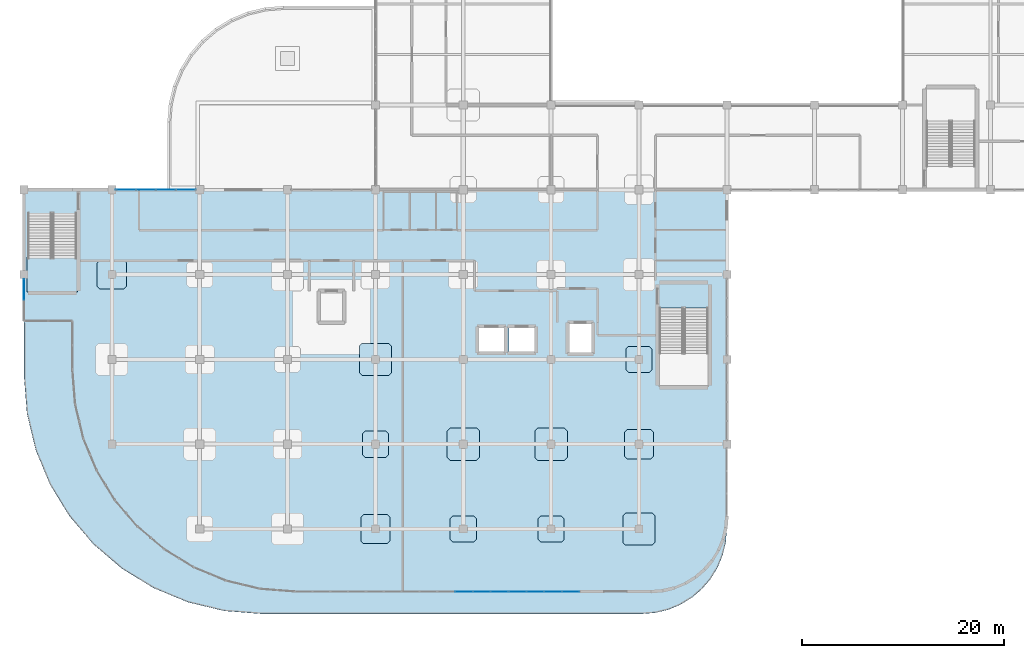
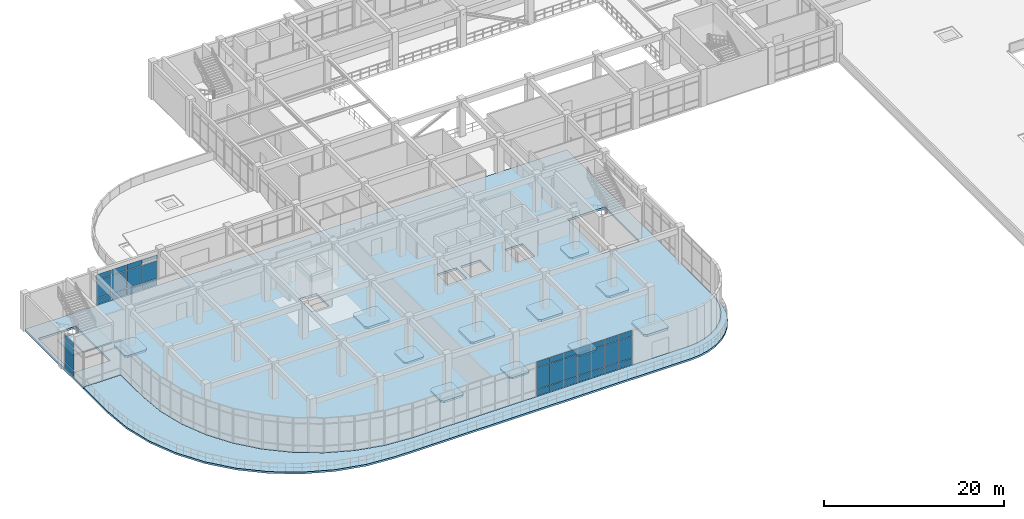
# One storey, part 92 of 124: 36 plates, 14 slabs, 5 elements without a shape of their own.
"""IFC4 building model written with IfcOpenShell, lengths in metres."""

from ifc_helpers import new_model, si_unit, derived_unit, direction, frame, origin, origin_2d, place, context, subcontext, project, spatial, polyline, rectangle, outline, extrude, material, layer, layer_set, type_object, element, aggregate, save


model = new_model("IFC4")

# Units and contexts
model_context = context("Model", 3, precision=1e-05, world=origin(), true_north=direction((0.0, 1.0)))
body_context = subcontext(model_context, "Body", "Model", "MODEL_VIEW")
ifc_project = project(units=[si_unit("LENGTHUNIT", "METRE"), si_unit("AREAUNIT", "SQUARE_METRE"), si_unit("VOLUMEUNIT", "CUBIC_METRE"), si_unit("PLANEANGLEUNIT", "RADIAN"), si_unit("MASSUNIT", "GRAM", prefix="KILO"), derived_unit("THERMALTRANSMITTANCEUNIT", [(si_unit("MASSUNIT", "GRAM", prefix="KILO"), 1), (si_unit("TIMEUNIT", "SECOND"), -3), (si_unit("THERMODYNAMICTEMPERATUREUNIT", "KELVIN"), -1)])], contexts=[model_context])

# Site, building, storey
site_placement = place(None, origin())
site = spatial("IfcSite", under=ifc_project, at=site_placement, CompositionType="ELEMENT")
building_placement = place(site_placement, origin())
building = spatial("IfcBuilding", under=site, at=building_placement, Name="Qinzheling Arcade Emporium", CompositionType="ELEMENT")
storey_placement = place(building_placement, frame((0.0, 0.0, 16.5)))
storey = spatial("IfcBuildingStorey", under=building, at=storey_placement, Name="L04", CompositionType="ELEMENT", Elevation=16.5)

# Slabs
ifc_material_1 = material(Name="Concrete C40", Category="concrete")
ifc_layer_1 = layer(ifc_material_1, 0.235107421875, Name="Concrete C40", Category="concrete")
ifc_layer_set_1 = layer_set([ifc_layer_1], Name="Concrete C40")
slab_type_1 = type_object("IfcSlabType", Name="Column Head Drop Panel 2600x2600x235 C40", PredefinedType="USERDEFINED", material=ifc_layer_set_1)
slab_1_placement = place(storey_placement, frame((0.0, 0.0, -0.514892578125)))
element("IfcSlab", 1, at=slab_1_placement, inside=storey, type_object=slab_type_1, Name="Column Drop Panel DP-L04-5-C", ObjectType="DROP_PANEL", PredefinedType="USERDEFINED", context=body_context, shape_type="SweptSolid", body=[
    extrude(outline(polyline([(33.780029296875, 15.5), (35.820068359375, 15.5), (36.10009765625, 15.780029296875), (36.10009765625, 17.820068359375), (35.820068359375, 18.10009765625), (33.780029296875, 18.10009765625), (33.5, 17.820068359375), (33.5, 15.780029296875), (33.780029296875, 15.5)])), origin(), (0.0, 0.0, 1.0), 0.23486328125),
])
slab_2_placement = place(storey_placement, frame((0.0, 0.0, -0.514892578125)))
element("IfcSlab", 2, at=slab_2_placement, inside=storey, type_object=slab_type_1, Name="Column Drop Panel DP-L04-6-B", ObjectType="DROP_PANEL", PredefinedType="USERDEFINED", context=body_context, shape_type="SweptSolid", body=[
    extrude(outline(polyline([(42.47998046875, 7.10009765625), (44.52001953125, 7.10009765625), (44.800048828125, 7.3798828125), (44.800048828125, 9.419921875), (44.52001953125, 9.699951171875), (42.47998046875, 9.699951171875), (42.199951171875, 9.419921875), (42.199951171875, 7.3798828125), (42.47998046875, 7.10009765625)])), origin(), (0.0, 0.0, 1.0), 0.23486328125),
])
slab_3_placement = place(storey_placement, frame((0.0, 0.0, -0.514892578125)))
element("IfcSlab", 3, at=slab_3_placement, inside=storey, type_object=slab_type_1, Name="Column Drop Panel DP-L04-7-B", ObjectType="DROP_PANEL", PredefinedType="USERDEFINED", context=body_context, shape_type="SweptSolid", body=[
    extrude(outline(polyline([(51.179931640625, 7.10009765625), (53.219970703125, 7.10009765625), (53.5, 7.3798828125), (53.5, 9.419921875), (53.219970703125, 9.699951171875), (51.179931640625, 9.699951171875), (50.89990234375, 9.419921875), (50.89990234375, 7.3798828125), (51.179931640625, 7.10009765625)])), origin(), (0.0, 0.0, 1.0), 0.23486328125),
])
slab_4_placement = place(storey_placement, frame((0.0, 0.0, -0.514892578125)))
element("IfcSlab", 4, at=slab_4_placement, inside=storey, type_object=slab_type_1, Name="Column Drop Panel DP-L04-8-D", ObjectType="DROP_PANEL", PredefinedType="USERDEFINED", context=body_context, shape_type="SweptSolid", body=[
    extrude(outline(polyline([(59.8798828125, 23.89990234375), (61.919921875, 23.89990234375), (62.199951171875, 24.179931640625), (62.199951171875, 26.219970703125), (61.919921875, 26.5), (59.8798828125, 26.5), (59.60009765625, 26.219970703125), (59.60009765625, 24.179931640625), (59.8798828125, 23.89990234375)])), origin(), (0.0, 0.0, 1.0), 0.23486328125),
])
ifc_layer_2 = layer(ifc_material_1, 0.27001953125, Name="Concrete C40", Category="concrete")
ifc_layer_set_2 = layer_set([ifc_layer_2], Name="Concrete C40")
slab_type_2 = type_object("IfcSlabType", Name="Column Head Drop Panel 2900x2900x270 C40", PredefinedType="USERDEFINED", material=ifc_layer_set_2)
slab_5_placement = place(storey_placement, frame((0.0, 0.0, -0.550048828125)))
element("IfcSlab", 5, at=slab_5_placement, inside=storey, type_object=slab_type_2, Name="Column Drop Panel DP-L04-2-E", ObjectType="DROP_PANEL", PredefinedType="USERDEFINED", context=body_context, shape_type="SweptSolid", body=[
    extrude(outline(polyline([(7.530029296875, 32.14990234375), (9.8701171875, 32.14990234375), (10.14990234375, 32.429931640625), (10.14990234375, 34.77001953125), (9.8701171875, 35.050048828125), (7.530029296875, 35.050048828125), (7.25, 34.77001953125), (7.25, 32.429931640625), (7.530029296875, 32.14990234375)])), origin(), (0.0, 0.0, 1.0), 0.27001953125),
])
slab_6_placement = place(storey_placement, frame((0.0, 0.0, -0.550048828125)))
element("IfcSlab", 6, at=slab_6_placement, inside=storey, type_object=slab_type_2, Name="Column Drop Panel DP-L04-5-B", ObjectType="DROP_PANEL", PredefinedType="USERDEFINED", context=body_context, shape_type="SweptSolid", body=[
    extrude(outline(polyline([(33.6298828125, 6.949951171875), (35.969970703125, 6.949951171875), (36.25, 7.22998046875), (36.25, 9.570068359375), (35.969970703125, 9.85009765625), (33.6298828125, 9.85009765625), (33.35009765625, 9.570068359375), (33.35009765625, 7.22998046875), (33.6298828125, 6.949951171875)])), origin(), (0.0, 0.0, 1.0), 0.27001953125),
])
slab_7_placement = place(storey_placement, frame((0.0, 0.0, -0.550048828125)))
element("IfcSlab", 7, at=slab_7_placement, inside=storey, type_object=slab_type_2, Name="Column Drop Panel DP-L04-8-C", ObjectType="DROP_PANEL", PredefinedType="USERDEFINED", context=body_context, shape_type="SweptSolid", body=[
    extrude(outline(polyline([(59.72998046875, 15.35009765625), (62.070068359375, 15.35009765625), (62.35009765625, 15.6298828125), (62.35009765625, 17.969970703125), (62.070068359375, 18.25), (59.72998046875, 18.25), (59.449951171875, 17.969970703125), (59.449951171875, 15.6298828125), (59.72998046875, 15.35009765625)])), origin(), (0.0, 0.0, 1.0), 0.27001953125),
])
ifc_layer_3 = layer(ifc_material_1, 0.300048828125, Name="Concrete C40", Category="concrete")
ifc_layer_set_3 = layer_set([ifc_layer_3], Name="Concrete C40")
slab_type_3 = type_object("IfcSlabType", Name="Column Head Drop Panel 3200x3200x300 C40", PredefinedType="USERDEFINED", material=ifc_layer_set_3)
slab_8_placement = place(storey_placement, frame((0.0, 0.0, -0.580078125)))
element("IfcSlab", 8, at=slab_8_placement, inside=storey, type_object=slab_type_3, Name="Column Drop Panel DP-L04-5-D", ObjectType="DROP_PANEL", PredefinedType="USERDEFINED", context=body_context, shape_type="SweptSolid", body=[
    extrude(outline(polyline([(33.47998046875, 23.60009765625), (36.1201171875, 23.60009765625), (36.39990234375, 23.8798828125), (36.39990234375, 26.52001953125), (36.1201171875, 26.800048828125), (33.47998046875, 26.800048828125), (33.199951171875, 26.52001953125), (33.199951171875, 23.8798828125), (33.47998046875, 23.60009765625)])), origin(), (0.0, 0.0, 1.0), 0.300048828125),
])
slab_9_placement = place(storey_placement, frame((0.0, 0.0, -0.580078125)))
element("IfcSlab", 9, at=slab_9_placement, inside=storey, type_object=slab_type_3, Name="Column Drop Panel DP-L04-6-C", ObjectType="DROP_PANEL", PredefinedType="USERDEFINED", context=body_context, shape_type="SweptSolid", body=[
    extrude(outline(polyline([(42.179931640625, 15.199951171875), (44.820068359375, 15.199951171875), (45.10009765625, 15.47998046875), (45.10009765625, 18.1201171875), (44.820068359375, 18.39990234375), (42.179931640625, 18.39990234375), (41.89990234375, 18.1201171875), (41.89990234375, 15.47998046875), (42.179931640625, 15.199951171875)])), origin(), (0.0, 0.0, 1.0), 0.300048828125),
])
slab_10_placement = place(storey_placement, frame((0.0, 0.0, -0.580078125)))
element("IfcSlab", 10, at=slab_10_placement, inside=storey, type_object=slab_type_3, Name="Column Drop Panel DP-L04-7-C", ObjectType="DROP_PANEL", PredefinedType="USERDEFINED", context=body_context, shape_type="SweptSolid", body=[
    extrude(outline(polyline([(50.8798828125, 15.199951171875), (53.52001953125, 15.199951171875), (53.800048828125, 15.47998046875), (53.800048828125, 18.1201171875), (53.52001953125, 18.39990234375), (50.8798828125, 18.39990234375), (50.60009765625, 18.1201171875), (50.60009765625, 15.47998046875), (50.8798828125, 15.199951171875)])), origin(), (0.0, 0.0, 1.0), 0.300048828125),
])
slab_11_placement = place(storey_placement, frame((0.0, 0.0, -0.580078125)))
element("IfcSlab", 11, at=slab_11_placement, inside=storey, type_object=slab_type_3, Name="Column Drop Panel DP-L04-8-B", ObjectType="DROP_PANEL", PredefinedType="USERDEFINED", context=body_context, shape_type="SweptSolid", body=[
    extrude(outline(polyline([(59.580078125, 6.800048828125), (62.219970703125, 6.800048828125), (62.5, 7.080078125), (62.5, 9.719970703125), (62.219970703125, 10.0), (59.580078125, 10.0), (59.300048828125, 9.719970703125), (59.300048828125, 7.080078125), (59.580078125, 6.800048828125)])), origin(), (0.0, 0.0, 1.0), 0.300048828125),
])

# Curtain wall, plates
ifc_material_2 = material(Name="Anodised aluminium and solar-control double glazing", Category="aluminium")
ifc_layer_4 = layer(ifc_material_2, 0.159912109375, Name="Anodised aluminium and solar-control double glazing", Category="aluminium")
ifc_layer_set_4 = layer_set([ifc_layer_4], Name="Anodised aluminium and solar-control double glazing")
curtain_wall_type_1 = type_object("IfcCurtainWallType", Name="Arcade Portal Glazed Curtain Wall", PredefinedType="NOTDEFINED", material=ifc_layer_set_4)
curtain_wall_1_placement = place(storey_placement, origin())
curtain_wall_1 = element("IfcCurtainWall", 12, at=curtain_wall_1_placement, inside=storey, type_object=curtain_wall_type_1, Name="Curtain Wall CW-L04-221", PredefinedType="NOTDEFINED")
ifc_material_3 = material(Name="Laminated solar-control double glazing", Category="glass")
ifc_layer_5 = layer(ifc_material_3, 0.02099609375, Name="Laminated solar-control double glazing", Category="glass")
ifc_layer_set_5 = layer_set([ifc_layer_5], Name="Laminated solar-control double glazing")
plate_type_1 = type_object("IfcPlateType", Name="Low-E Double Glazed Curtain Panel 21mm", PredefinedType="CURTAIN_PANEL", material=ifc_layer_set_5)
plate_1_placement = place(storey_placement, frame((54.14111328125, 2.199951171875, 0.06005859375), z_axis=(0.0, 0.0, 1.0), x_axis=(-1.0, 0.0, 0.0)))
plate_1 = element("IfcPlate", 13, at=plate_1_placement, type_object=plate_type_1, Name="CW05 panel 1.1", PredefinedType="CURTAIN_PANEL", context=body_context, shape_type="SweptSolid", body=[
    extrude(rectangle(XDim=1.674072265625, YDim=0.02099609375, at=origin_2d()), origin(), (0.0, 0.0, 1.0), 0.860107421875),
])
plate_2_placement = place(storey_placement, frame((54.14111328125, 2.199951171875, 0.97998046875), z_axis=(0.0, 0.0, 1.0), x_axis=(-1.0, 0.0, 0.0)))
plate_2 = element("IfcPlate", 14, at=plate_2_placement, type_object=plate_type_1, Name="CW05 panel 1.2", PredefinedType="CURTAIN_PANEL", context=body_context, shape_type="SweptSolid", body=[
    extrude(rectangle(XDim=1.674072265625, YDim=0.02099609375, at=origin_2d()), origin(), (0.0, 0.0, 1.0), 2.929931640625),
])
plate_3_placement = place(storey_placement, frame((54.14111328125, 2.199951171875, 3.97021484375), z_axis=(0.0, 0.0, 1.0), x_axis=(-1.0, 0.0, 0.0)))
plate_3 = element("IfcPlate", 15, at=plate_3_placement, type_object=plate_type_1, Name="CW05 panel 1.3", PredefinedType="CURTAIN_PANEL", context=body_context, shape_type="SweptSolid", body=[
    extrude(rectangle(XDim=1.674072265625, YDim=0.02099609375, at=origin_2d()), origin(), (0.0, 0.0, 1.0), 0.760009765625),
])
plate_4_placement = place(storey_placement, frame((52.39208984375, 2.199951171875, 0.06005859375), z_axis=(0.0, 0.0, 1.0), x_axis=(-1.0, 0.0, 0.0)))
plate_4 = element("IfcPlate", 16, at=plate_4_placement, type_object=plate_type_1, Name="CW05 panel 2.1", PredefinedType="CURTAIN_PANEL", context=body_context, shape_type="SweptSolid", body=[
    extrude(rectangle(XDim=1.7041015625, YDim=0.02099609375, at=origin_2d()), origin(), (0.0, 0.0, 1.0), 0.860107421875),
])
plate_5_placement = place(storey_placement, frame((52.39208984375, 2.199951171875, 0.97998046875), z_axis=(0.0, 0.0, 1.0), x_axis=(-1.0, 0.0, 0.0)))
plate_5 = element("IfcPlate", 17, at=plate_5_placement, type_object=plate_type_1, Name="CW05 panel 2.2", PredefinedType="CURTAIN_PANEL", context=body_context, shape_type="SweptSolid", body=[
    extrude(rectangle(XDim=1.7041015625, YDim=0.02099609375, at=origin_2d()), origin(), (0.0, 0.0, 1.0), 2.929931640625),
])
plate_6_placement = place(storey_placement, frame((52.39208984375, 2.199951171875, 3.97021484375), z_axis=(0.0, 0.0, 1.0), x_axis=(-1.0, 0.0, 0.0)))
plate_6 = element("IfcPlate", 18, at=plate_6_placement, type_object=plate_type_1, Name="CW05 panel 2.3", PredefinedType="CURTAIN_PANEL", context=body_context, shape_type="SweptSolid", body=[
    extrude(rectangle(XDim=1.7041015625, YDim=0.02099609375, at=origin_2d()), origin(), (0.0, 0.0, 1.0), 0.760009765625),
])
plate_7_placement = place(storey_placement, frame((50.6279296875, 2.199951171875, 0.06005859375), z_axis=(0.0, 0.0, 1.0), x_axis=(-1.0, 0.0, 0.0)))
plate_7 = element("IfcPlate", 19, at=plate_7_placement, type_object=plate_type_1, Name="CW05 panel 3.1", PredefinedType="CURTAIN_PANEL", context=body_context, shape_type="SweptSolid", body=[
    extrude(rectangle(XDim=1.7041015625, YDim=0.02099609375, at=origin_2d()), origin(), (0.0, 0.0, 1.0), 0.860107421875),
])
plate_8_placement = place(storey_placement, frame((50.6279296875, 2.199951171875, 0.97998046875), z_axis=(0.0, 0.0, 1.0), x_axis=(-1.0, 0.0, 0.0)))
plate_8 = element("IfcPlate", 20, at=plate_8_placement, type_object=plate_type_1, Name="CW05 panel 3.2", PredefinedType="CURTAIN_PANEL", context=body_context, shape_type="SweptSolid", body=[
    extrude(rectangle(XDim=1.7041015625, YDim=0.02099609375, at=origin_2d()), origin(), (0.0, 0.0, 1.0), 2.929931640625),
])
plate_9_placement = place(storey_placement, frame((50.6279296875, 2.199951171875, 3.97021484375), z_axis=(0.0, 0.0, 1.0), x_axis=(-1.0, 0.0, 0.0)))
plate_9 = element("IfcPlate", 21, at=plate_9_placement, type_object=plate_type_1, Name="CW05 panel 3.3", PredefinedType="CURTAIN_PANEL", context=body_context, shape_type="SweptSolid", body=[
    extrude(rectangle(XDim=1.7041015625, YDim=0.02099609375, at=origin_2d()), origin(), (0.0, 0.0, 1.0), 0.760009765625),
])
plate_10_placement = place(storey_placement, frame((48.87890625, 2.199951171875, 0.06005859375), z_axis=(0.0, 0.0, 1.0), x_axis=(-1.0, 0.0, 0.0)))
plate_10 = element("IfcPlate", 22, at=plate_10_placement, type_object=plate_type_1, Name="CW05 panel 4.1", PredefinedType="CURTAIN_PANEL", context=body_context, shape_type="SweptSolid", body=[
    extrude(rectangle(XDim=1.674072265625, YDim=0.02099609375, at=origin_2d()), origin(), (0.0, 0.0, 1.0), 0.860107421875),
])
plate_11_placement = place(storey_placement, frame((48.87890625, 2.199951171875, 0.97998046875), z_axis=(0.0, 0.0, 1.0), x_axis=(-1.0, 0.0, 0.0)))
plate_11 = element("IfcPlate", 23, at=plate_11_placement, type_object=plate_type_1, Name="CW05 panel 4.2", PredefinedType="CURTAIN_PANEL", context=body_context, shape_type="SweptSolid", body=[
    extrude(rectangle(XDim=1.674072265625, YDim=0.02099609375, at=origin_2d()), origin(), (0.0, 0.0, 1.0), 2.929931640625),
])
plate_12_placement = place(storey_placement, frame((48.87890625, 2.199951171875, 3.97021484375), z_axis=(0.0, 0.0, 1.0), x_axis=(-1.0, 0.0, 0.0)))
plate_12 = element("IfcPlate", 24, at=plate_12_placement, type_object=plate_type_1, Name="CW05 panel 4.3", PredefinedType="CURTAIN_PANEL", context=body_context, shape_type="SweptSolid", body=[
    extrude(rectangle(XDim=1.674072265625, YDim=0.02099609375, at=origin_2d()), origin(), (0.0, 0.0, 1.0), 0.760009765625),
])
aggregate(curtain_wall_1, [plate_1, plate_2, plate_3, plate_4, plate_5, plate_6, plate_7, plate_8, plate_9, plate_10, plate_11, plate_12])

curtain_wall_2_placement = place(storey_placement, origin())
curtain_wall_2 = element("IfcCurtainWall", 25, at=curtain_wall_2_placement, inside=storey, type_object=curtain_wall_type_1, Name="Curtain Wall CW-L04-237", PredefinedType="NOTDEFINED")
plate_13_placement = place(storey_placement, frame((0.0, 32.133544921875, 0.06005859375), z_axis=(0.0, 0.0, 1.0), x_axis=(0.0, 1.0, 0.0)))
plate_13 = element("IfcPlate", 26, at=plate_13_placement, type_object=plate_type_1, Name="CW05 panel 2.1", PredefinedType="CURTAIN_PANEL", context=body_context, shape_type="SweptSolid", body=[
    extrude(rectangle(XDim=2.009033203125, YDim=0.02099609375, at=origin_2d()), origin(), (0.0, 0.0, 1.0), 0.860107421875),
])
plate_14_placement = place(storey_placement, frame((0.0, 32.133544921875, 0.97998046875), z_axis=(0.0, 0.0, 1.0), x_axis=(0.0, 1.0, 0.0)))
plate_14 = element("IfcPlate", 27, at=plate_14_placement, type_object=plate_type_1, Name="CW05 panel 2.2", PredefinedType="CURTAIN_PANEL", context=body_context, shape_type="SweptSolid", body=[
    extrude(rectangle(XDim=2.009033203125, YDim=0.02099609375, at=origin_2d()), origin(), (0.0, 0.0, 1.0), 2.929931640625),
])
plate_15_placement = place(storey_placement, frame((0.0, 32.133544921875, 3.97021484375), z_axis=(0.0, 0.0, 1.0), x_axis=(0.0, 1.0, 0.0)))
plate_15 = element("IfcPlate", 28, at=plate_15_placement, type_object=plate_type_1, Name="CW05 panel 2.3", PredefinedType="CURTAIN_PANEL", context=body_context, shape_type="SweptSolid", body=[
    extrude(rectangle(XDim=2.009033203125, YDim=0.02099609375, at=origin_2d()), origin(), (0.0, 0.0, 1.0), 0.760009765625),
])
aggregate(curtain_wall_2, [plate_13, plate_14, plate_15])

curtain_wall_3_placement = place(storey_placement, origin())
curtain_wall_3 = element("IfcCurtainWall", 29, at=curtain_wall_3_placement, inside=storey, type_object=curtain_wall_type_1, Name="Curtain Wall CW-L04-222", PredefinedType="NOTDEFINED")
ifc_layer_6 = layer(ifc_material_3, 0.02197265625, Name="Laminated solar-control double glazing", Category="glass")
ifc_layer_set_6 = layer_set([ifc_layer_6], Name="Laminated solar-control double glazing")
plate_type_2 = type_object("IfcPlateType", Name="Low-E Double Glazed Curtain Panel 22mm", PredefinedType="CURTAIN_PANEL", material=ifc_layer_set_6)
plate_16_placement = place(storey_placement, frame((47.0810546875, 2.199951171875, 0.06005859375), z_axis=(0.0, 0.0, 1.0), x_axis=(-1.0, 0.0, 0.0)))
plate_16 = element("IfcPlate", 30, at=plate_16_placement, type_object=plate_type_2, Name="CW05 panel 1.1", PredefinedType="CURTAIN_PANEL", context=body_context, shape_type="SweptSolid", body=[
    extrude(rectangle(XDim=1.674072265625, YDim=0.02197265625, at=origin_2d()), origin(), (0.0, 0.0, 1.0), 0.860107421875),
])
plate_17_placement = place(storey_placement, frame((47.0810546875, 2.199951171875, 0.97998046875), z_axis=(0.0, 0.0, 1.0), x_axis=(-1.0, 0.0, 0.0)))
plate_17 = element("IfcPlate", 31, at=plate_17_placement, type_object=plate_type_2, Name="CW05 panel 1.2", PredefinedType="CURTAIN_PANEL", context=body_context, shape_type="SweptSolid", body=[
    extrude(rectangle(XDim=1.674072265625, YDim=0.02197265625, at=origin_2d()), origin(), (0.0, 0.0, 1.0), 2.929931640625),
])
plate_18_placement = place(storey_placement, frame((47.0810546875, 2.199951171875, 3.97021484375), z_axis=(0.0, 0.0, 1.0), x_axis=(-1.0, 0.0, 0.0)))
plate_18 = element("IfcPlate", 32, at=plate_18_placement, type_object=plate_type_2, Name="CW05 panel 1.3", PredefinedType="CURTAIN_PANEL", context=body_context, shape_type="SweptSolid", body=[
    extrude(rectangle(XDim=1.674072265625, YDim=0.02197265625, at=origin_2d()), origin(), (0.0, 0.0, 1.0), 0.760009765625),
])
plate_19_placement = place(storey_placement, frame((45.33203125, 2.199951171875, 0.06005859375), z_axis=(0.0, 0.0, 1.0), x_axis=(-1.0, 0.0, 0.0)))
plate_19 = element("IfcPlate", 33, at=plate_19_placement, type_object=plate_type_2, Name="CW05 panel 2.1", PredefinedType="CURTAIN_PANEL", context=body_context, shape_type="SweptSolid", body=[
    extrude(rectangle(XDim=1.7041015625, YDim=0.02197265625, at=origin_2d()), origin(), (0.0, 0.0, 1.0), 0.860107421875),
])
plate_20_placement = place(storey_placement, frame((45.33203125, 2.199951171875, 0.97998046875), z_axis=(0.0, 0.0, 1.0), x_axis=(-1.0, 0.0, 0.0)))
plate_20 = element("IfcPlate", 34, at=plate_20_placement, type_object=plate_type_2, Name="CW05 panel 2.2", PredefinedType="CURTAIN_PANEL", context=body_context, shape_type="SweptSolid", body=[
    extrude(rectangle(XDim=1.7041015625, YDim=0.02197265625, at=origin_2d()), origin(), (0.0, 0.0, 1.0), 2.929931640625),
])
plate_21_placement = place(storey_placement, frame((45.33203125, 2.199951171875, 3.97021484375), z_axis=(0.0, 0.0, 1.0), x_axis=(-1.0, 0.0, 0.0)))
plate_21 = element("IfcPlate", 35, at=plate_21_placement, type_object=plate_type_2, Name="CW05 panel 2.3", PredefinedType="CURTAIN_PANEL", context=body_context, shape_type="SweptSolid", body=[
    extrude(rectangle(XDim=1.7041015625, YDim=0.02197265625, at=origin_2d()), origin(), (0.0, 0.0, 1.0), 0.760009765625),
])
plate_22_placement = place(storey_placement, frame((43.568115234375, 2.199951171875, 0.06005859375), z_axis=(0.0, 0.0, 1.0), x_axis=(-1.0, 0.0, 0.0)))
plate_22 = element("IfcPlate", 36, at=plate_22_placement, type_object=plate_type_2, Name="CW05 panel 3.1", PredefinedType="CURTAIN_PANEL", context=body_context, shape_type="SweptSolid", body=[
    extrude(rectangle(XDim=1.7041015625, YDim=0.02197265625, at=origin_2d()), origin(), (0.0, 0.0, 1.0), 0.860107421875),
])
plate_23_placement = place(storey_placement, frame((43.568115234375, 2.199951171875, 0.97998046875), z_axis=(0.0, 0.0, 1.0), x_axis=(-1.0, 0.0, 0.0)))
plate_23 = element("IfcPlate", 37, at=plate_23_placement, type_object=plate_type_2, Name="CW05 panel 3.2", PredefinedType="CURTAIN_PANEL", context=body_context, shape_type="SweptSolid", body=[
    extrude(rectangle(XDim=1.7041015625, YDim=0.02197265625, at=origin_2d()), origin(), (0.0, 0.0, 1.0), 2.929931640625),
])
plate_24_placement = place(storey_placement, frame((43.568115234375, 2.199951171875, 3.97021484375), z_axis=(0.0, 0.0, 1.0), x_axis=(-1.0, 0.0, 0.0)))
plate_24 = element("IfcPlate", 38, at=plate_24_placement, type_object=plate_type_2, Name="CW05 panel 3.3", PredefinedType="CURTAIN_PANEL", context=body_context, shape_type="SweptSolid", body=[
    extrude(rectangle(XDim=1.7041015625, YDim=0.02197265625, at=origin_2d()), origin(), (0.0, 0.0, 1.0), 0.760009765625),
])
aggregate(curtain_wall_3, [plate_16, plate_17, plate_18, plate_19, plate_20, plate_21, plate_22, plate_23, plate_24])

ifc_layer_7 = layer(ifc_material_2, 0.159912109375, Name="Anodised aluminium and solar-control double glazing", Category="aluminium")
ifc_layer_set_7 = layer_set([ifc_layer_7], Name="Anodised aluminium and solar-control double glazing")
curtain_wall_type_2 = type_object("IfcCurtainWallType", Name="Atrium Clerestory Curtain Wall", PredefinedType="NOTDEFINED", material=ifc_layer_set_7)
curtain_wall_4_placement = place(storey_placement, origin())
curtain_wall_4 = element("IfcCurtainWall", 39, at=curtain_wall_4_placement, inside=storey, type_object=curtain_wall_type_2, Name="Curtain Wall CW-L04-238", PredefinedType="NOTDEFINED")
plate_25_placement = place(storey_placement, frame((10.10400390625, 42.0, 0.06005859375), z_axis=(0.0, 0.0, 1.0), x_axis=(1.0, 0.0, 0.0)))
plate_25 = element("IfcPlate", 40, at=plate_25_placement, type_object=plate_type_2, Name="CW03 panel 1.1", PredefinedType="CURTAIN_PANEL", context=body_context, shape_type="SweptSolid", body=[
    extrude(rectangle(XDim=1.884033203125, YDim=0.02197265625, at=origin_2d()), origin(), (0.0, 0.0, 1.0), 0.860107421875),
])
plate_26_placement = place(storey_placement, frame((10.10400390625, 42.0, 0.97998046875), z_axis=(0.0, 0.0, 1.0), x_axis=(1.0, 0.0, 0.0)))
plate_26 = element("IfcPlate", 41, at=plate_26_placement, type_object=plate_type_2, Name="CW03 panel 1.2", PredefinedType="CURTAIN_PANEL", context=body_context, shape_type="SweptSolid", body=[
    extrude(rectangle(XDim=1.884033203125, YDim=0.02197265625, at=origin_2d()), origin(), (0.0, 0.0, 1.0), 2.39501953125),
])
plate_27_placement = place(storey_placement, frame((10.10400390625, 42.0, 3.43505859375), z_axis=(0.0, 0.0, 1.0), x_axis=(1.0, 0.0, 0.0)))
plate_27 = element("IfcPlate", 42, at=plate_27_placement, type_object=plate_type_2, Name="CW03 panel 1.3", PredefinedType="CURTAIN_PANEL", context=body_context, shape_type="SweptSolid", body=[
    extrude(rectangle(XDim=1.884033203125, YDim=0.02197265625, at=origin_2d()), origin(), (0.0, 0.0, 1.0), 0.760009765625),
])
plate_28_placement = place(storey_placement, frame((12.06298828125, 42.0, 0.06005859375), z_axis=(0.0, 0.0, 1.0), x_axis=(1.0, 0.0, 0.0)))
plate_28 = element("IfcPlate", 43, at=plate_28_placement, type_object=plate_type_2, Name="CW03 panel 2.1", PredefinedType="CURTAIN_PANEL", context=body_context, shape_type="SweptSolid", body=[
    extrude(rectangle(XDim=1.9140625, YDim=0.02197265625, at=origin_2d()), origin(), (0.0, 0.0, 1.0), 0.860107421875),
])
plate_29_placement = place(storey_placement, frame((12.06298828125, 42.0, 0.97998046875), z_axis=(0.0, 0.0, 1.0), x_axis=(1.0, 0.0, 0.0)))
plate_29 = element("IfcPlate", 44, at=plate_29_placement, type_object=plate_type_2, Name="CW03 panel 2.2", PredefinedType="CURTAIN_PANEL", context=body_context, shape_type="SweptSolid", body=[
    extrude(rectangle(XDim=1.9140625, YDim=0.02197265625, at=origin_2d()), origin(), (0.0, 0.0, 1.0), 2.39501953125),
])
plate_30_placement = place(storey_placement, frame((12.06298828125, 42.0, 3.43505859375), z_axis=(0.0, 0.0, 1.0), x_axis=(1.0, 0.0, 0.0)))
plate_30 = element("IfcPlate", 45, at=plate_30_placement, type_object=plate_type_2, Name="CW03 panel 2.3", PredefinedType="CURTAIN_PANEL", context=body_context, shape_type="SweptSolid", body=[
    extrude(rectangle(XDim=1.9140625, YDim=0.02197265625, at=origin_2d()), origin(), (0.0, 0.0, 1.0), 0.760009765625),
])
plate_31_placement = place(storey_placement, frame((14.037109375, 42.0, 0.06005859375), z_axis=(0.0, 0.0, 1.0), x_axis=(1.0, 0.0, 0.0)))
plate_31 = element("IfcPlate", 46, at=plate_31_placement, type_object=plate_type_2, Name="CW03 panel 3.1", PredefinedType="CURTAIN_PANEL", context=body_context, shape_type="SweptSolid", body=[
    extrude(rectangle(XDim=1.9140625, YDim=0.02197265625, at=origin_2d()), origin(), (0.0, 0.0, 1.0), 0.860107421875),
])
plate_32_placement = place(storey_placement, frame((14.037109375, 42.0, 0.97998046875), z_axis=(0.0, 0.0, 1.0), x_axis=(1.0, 0.0, 0.0)))
plate_32 = element("IfcPlate", 47, at=plate_32_placement, type_object=plate_type_2, Name="CW03 panel 3.2", PredefinedType="CURTAIN_PANEL", context=body_context, shape_type="SweptSolid", body=[
    extrude(rectangle(XDim=1.9140625, YDim=0.02197265625, at=origin_2d()), origin(), (0.0, 0.0, 1.0), 2.39501953125),
])
plate_33_placement = place(storey_placement, frame((14.037109375, 42.0, 3.43505859375), z_axis=(0.0, 0.0, 1.0), x_axis=(1.0, 0.0, 0.0)))
plate_33 = element("IfcPlate", 48, at=plate_33_placement, type_object=plate_type_2, Name="CW03 panel 3.3", PredefinedType="CURTAIN_PANEL", context=body_context, shape_type="SweptSolid", body=[
    extrude(rectangle(XDim=1.9140625, YDim=0.02197265625, at=origin_2d()), origin(), (0.0, 0.0, 1.0), 0.760009765625),
])
plate_34_placement = place(storey_placement, frame((15.99609375, 42.0, 0.06005859375), z_axis=(0.0, 0.0, 1.0), x_axis=(1.0, 0.0, 0.0)))
plate_34 = element("IfcPlate", 49, at=plate_34_placement, type_object=plate_type_2, Name="CW03 panel 4.1", PredefinedType="CURTAIN_PANEL", context=body_context, shape_type="SweptSolid", body=[
    extrude(rectangle(XDim=1.884033203125, YDim=0.02197265625, at=origin_2d()), origin(), (0.0, 0.0, 1.0), 0.860107421875),
])
plate_35_placement = place(storey_placement, frame((15.99609375, 42.0, 0.97998046875), z_axis=(0.0, 0.0, 1.0), x_axis=(1.0, 0.0, 0.0)))
plate_35 = element("IfcPlate", 50, at=plate_35_placement, type_object=plate_type_2, Name="CW03 panel 4.2", PredefinedType="CURTAIN_PANEL", context=body_context, shape_type="SweptSolid", body=[
    extrude(rectangle(XDim=1.884033203125, YDim=0.02197265625, at=origin_2d()), origin(), (0.0, 0.0, 1.0), 2.39501953125),
])
aggregate(curtain_wall_4, [plate_25, plate_26, plate_27, plate_28, plate_29, plate_30, plate_31, plate_32, plate_33, plate_34, plate_35])

# Slabs
ifc_layer_8 = layer(ifc_material_1, 0.25, Name="Concrete C40", Category="concrete")
ifc_layer_set_8 = layer_set([ifc_layer_8], Name="Concrete C40")
slab_type_4 = type_object("IfcSlabType", Name="Outdoor Dining Terrace Slab 250 C40", PredefinedType="FLOOR", material=ifc_layer_set_8)
slab_12_placement = place(storey_placement, frame((0.0, 0.0, -0.25)))
element("IfcSlab", 51, at=slab_12_placement, inside=storey, type_object=slab_type_4, Name="Outdoor Terrace SLB-TR-V1-L04", PredefinedType="FLOOR", context=body_context, shape_type="SweptSolid", body=[
    extrude(outline(polyline([(69.60009765625, 8.39990234375), (69.60009765625, 9.699951171875), (69.508056640625, 8.527099609375), (69.23291015625, 7.382080078125), (68.782958984375, 6.294921875), (68.16796875, 5.2919921875), (67.403076171875, 4.39697265625), (66.508056640625, 3.632080078125), (65.5048828125, 3.01708984375), (64.41796875, 2.56689453125), (63.27294921875, 2.2919921875), (62.10009765625, 2.199951171875), (26.800048828125, 2.199951171875), (23.35791015625, 2.470947265625), (20.001953125, 3.277099609375), (16.81201171875, 4.597900390625), (13.868896484375, 6.402099609375), (11.243896484375, 8.64404296875), (9.001953125, 11.26904296875), (7.197998046875, 14.2119140625), (5.876953125, 17.402099609375), (5.071044921875, 20.758056640625), (4.800048828125, 24.199951171875), (4.800048828125, 29.0), (0.0, 29.0), (0.0, 23.5), (0.2890625, 19.823974609375), (1.14990234375, 16.238037109375), (2.56103515625, 12.8310546875), (4.488037109375, 9.68701171875), (6.883056640625, 6.883056640625), (9.68701171875, 4.488037109375), (12.8310546875, 2.56103515625), (16.238037109375, 1.14990234375), (19.823974609375, 0.2890625), (23.5, 0.0), (61.199951171875, 0.0), (62.513916015625, 0.10302734375), (63.7958984375, 0.410888671875), (65.013916015625, 0.916015625), (66.136962890625, 1.60400390625), (67.139892578125, 2.4599609375), (67.99609375, 3.462890625), (68.68408203125, 4.5859375), (69.18896484375, 5.803955078125), (69.4970703125, 7.0859375), (69.60009765625, 8.39990234375)])), origin(), (0.0, 0.0, 1.0), 0.25),
])
ifc_layer_9 = layer(ifc_material_1, 0.280029296875, Name="Concrete C40", Category="concrete")
ifc_layer_set_9 = layer_set([ifc_layer_9], Name="Concrete C40")
slab_type_5 = type_object("IfcSlabType", Name="Retail Two-Way Flat Slab 280 C40", PredefinedType="FLOOR", material=ifc_layer_set_9)
slab_13_placement = place(storey_placement, frame((0.0, 0.0, -0.280029296875)))
element("IfcSlab", 52, at=slab_13_placement, inside=storey, type_object=slab_type_5, Name="Floor Slab SLB-L04-V1", PredefinedType="FLOOR", context=body_context, shape_type="SweptSolid", body=[
    extrude(outline(polyline([(26.10009765625, 42.0), (4.800048828125, 42.0), (0.0, 42.0), (0.0, 29.0), (4.800048828125, 29.0), (4.800048828125, 24.199951171875), (5.071044921875, 20.758056640625), (5.876953125, 17.402099609375), (7.197998046875, 14.2119140625), (9.001953125, 11.26904296875), (11.243896484375, 8.64404296875), (13.868896484375, 6.402099609375), (16.81201171875, 4.597900390625), (20.001953125, 3.277099609375), (23.35791015625, 2.470947265625), (26.800048828125, 2.199951171875), (62.10009765625, 2.199951171875), (63.27294921875, 2.2919921875), (64.41796875, 2.56689453125), (65.5048828125, 3.01708984375), (66.508056640625, 3.632080078125), (67.403076171875, 4.39697265625), (68.16796875, 5.2919921875), (68.782958984375, 6.294921875), (69.23291015625, 7.382080078125), (69.508056640625, 8.527099609375), (69.60009765625, 9.699951171875), (69.60009765625, 42.0), (26.10009765625, 42.0)]), holes=[polyline([(67.739990234375, 22.60009765625), (62.949951171875, 22.60009765625), (62.949951171875, 30.27490234375), (67.739990234375, 30.27490234375), (67.739990234375, 22.60009765625)]), polyline([(56.199951171875, 25.89990234375), (54.0, 25.89990234375), (54.0, 28.699951171875), (56.199951171875, 28.699951171875), (56.199951171875, 25.89990234375)]), polyline([(50.550048828125, 26.0), (48.050048828125, 26.0), (48.050048828125, 28.300048828125), (50.550048828125, 28.300048828125), (50.550048828125, 26.0)]), polyline([(47.550048828125, 26.0), (45.050048828125, 26.0), (45.050048828125, 28.300048828125), (47.550048828125, 28.300048828125), (47.550048828125, 26.0)]), polyline([(31.550048828125, 29.0), (29.35009765625, 29.0), (29.35009765625, 31.800048828125), (31.550048828125, 31.800048828125), (31.550048828125, 29.0)]), polyline([(5.18994140625, 32.0), (0.39990234375, 32.0), (0.39990234375, 39.675048828125), (5.18994140625, 39.675048828125), (5.18994140625, 32.0)])]), origin(), (0.0, 0.0, 1.0), 0.280029296875),
])

# Stair, slab
stair_type = type_object("IfcStairType", Name="Cast-in-Situ Dog-Leg Escape Stair H5100", PredefinedType="HALF_TURN_STAIR", material=ifc_material_1)
stair_placement = place(storey_placement, origin())
stair = element("IfcStair", 53, at=stair_placement, inside=storey, type_object=stair_type, Name="L04 ST02", PredefinedType="HALF_TURN_STAIR")
ifc_layer_10 = layer(ifc_material_1, 0.199951171875, Name="Concrete C40", Category="concrete")
ifc_layer_set_10 = layer_set([ifc_layer_10], Name="Concrete C40")
slab_type_6 = type_object("IfcSlabType", Name="Stair Half-Turn Landing Slab 200 C40", PredefinedType="LANDING", material=ifc_layer_set_10)
slab_14_placement = place(storey_placement, frame((0.0, 0.0, 2.35009765625)))
slab_14 = element("IfcSlab", 54, at=slab_14_placement, type_object=slab_type_6, Name="ST02 landing 1", PredefinedType="LANDING", context=body_context, shape_type="SweptSolid", body=[
    extrude(outline(polyline([(0.280029296875, 35.320068359375), (5.31005859375, 35.320068359375), (5.31005859375, 31.8798828125), (0.280029296875, 31.8798828125), (0.280029296875, 35.320068359375)])), origin(), (0.0, 0.0, 1.0), 0.199951171875),
])
aggregate(stair, [slab_14])

# Plate
ifc_material_4 = material(Name="Perforated anodised aluminium sheet", Category="aluminium")
ifc_layer_11 = layer(ifc_material_4, 0.02001953125, Name="Perforated anodised aluminium sheet", Category="aluminium")
ifc_layer_set_11 = layer_set([ifc_layer_11], Name="Perforated anodised aluminium sheet")
plate_type_3 = type_object("IfcPlateType", Name="Typhoon Storm Louvre Blade 20mm", PredefinedType="SHEET", material=ifc_layer_set_11)
plate_36_placement = place(storey_placement, frame((13.050048828125, 42.0, 3.68017578125), z_axis=(0.0, 0.0, 1.0), x_axis=(1.0, 0.0, 0.0)))
element("IfcPlate", 55, at=plate_36_placement, inside=storey, type_object=plate_type_3, Name="Storm Louvre PLT-SLV-L04-043", PredefinedType="SHEET", context=body_context, shape_type="SweptSolid", body=[
    extrude(rectangle(XDim=7.926025390625, YDim=0.02001953125, at=origin_2d()), origin(), (0.0, 0.0, 1.0), 0.449951171875),
])

save(model, "model.ifc")
